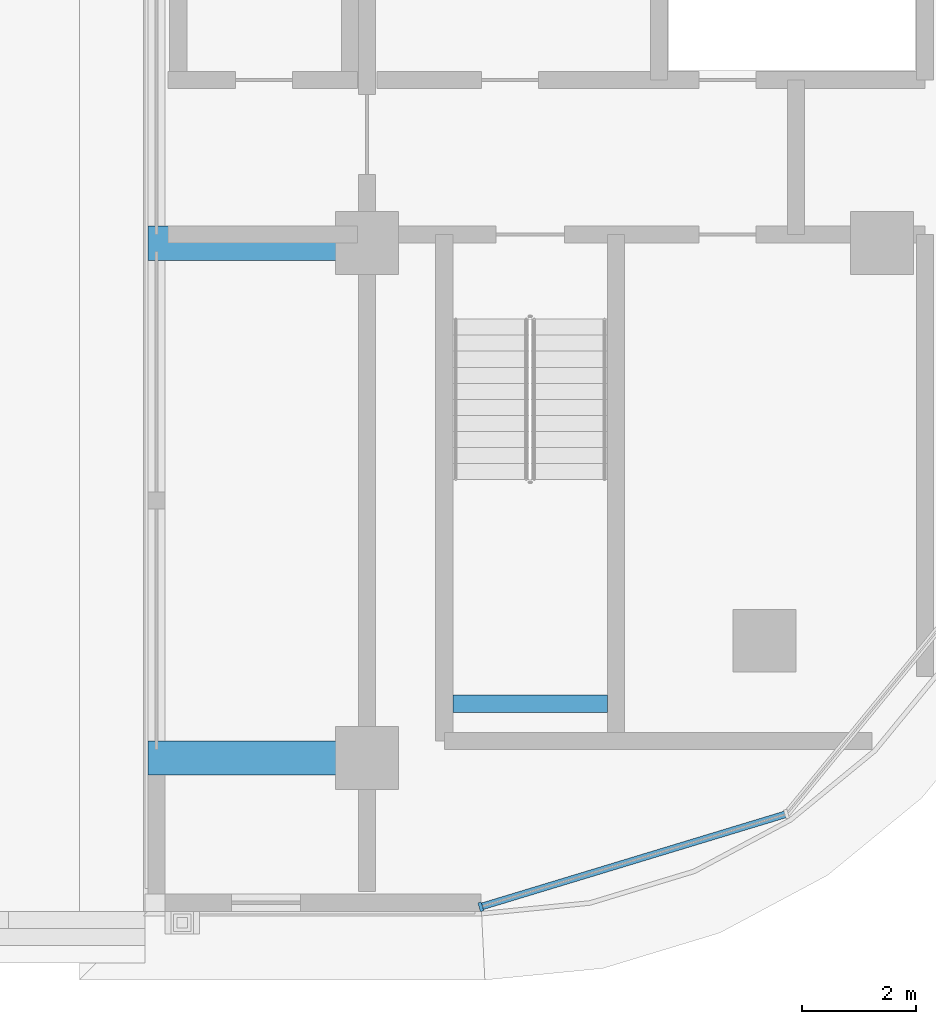
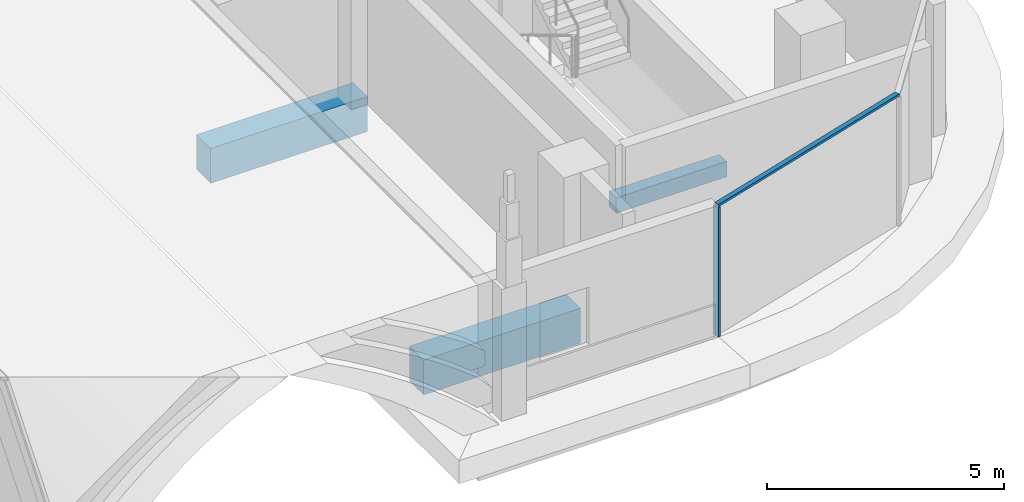
# One storey, part 3 of 23: 3 beams, 2 members, 1 element without a shape of its own.
"""IFC4 building model written with IfcOpenShell, lengths in metres."""

import ifcopenshell
import ifcopenshell.guid

model = None  # the IFC model being written
_history = None  # IfcOwnerHistory: only IFC2X3 demands one
_inside = {}  # id of a spatial element -> (the spatial element, [elements in it])
_under = {}  # id of a project, library or spatial element -> (it, [spatial elements below it])
_declared = {}  # id of a project -> (the project, [libraries it declares])
_typed = {}  # id of a type object -> (the type object, [elements of that type])
_made_of = {}  # id of a material, layer set ... -> (it, [elements and type objects made of it])


def new_model(schema):
    """Start an empty IFC model of exactly this schema.

    Asked for "IFC4X3", IfcOpenShell would pick the latest addendum, in which some entities
    have other attributes; the version numbers below select the first issue.
    IFC2X3 requires an IfcOwnerHistory on every rooted entity: one is made here for all.
    """
    global model, _history
    if schema == "IFC4X3":
        model = ifcopenshell.file(schema_version=(4, 3, 0, 0))
    else:
        model = ifcopenshell.file(schema=schema)
    _inside.clear()
    _under.clear()
    _declared.clear()
    _typed.clear()
    _made_of.clear()
    _history = None
    if model.schema == "IFC2X3":
        org = make("IfcOrganization", Name="unknown")
        user = make(
            "IfcPersonAndOrganization",
            ThePerson=make("IfcPerson", FamilyName="unknown"),
            TheOrganization=org,
        )
        app = make(
            "IfcApplication",
            ApplicationDeveloper=org,
            Version="unknown",
            ApplicationFullName="unknown",
            ApplicationIdentifier="unknown",
        )
        _history = make(
            "IfcOwnerHistory",
            OwningUser=user,
            OwningApplication=app,
            ChangeAction="ADDED",
            CreationDate=0,
        )
    return model


def make(cls, **values):
    """One entity of the class cls with the attributes given. An attribute that is None is left unset."""
    return model.create_entity(
        cls, **{name: value for name, value in values.items() if value is not None}
    )


def rooted(cls, **values):
    """An entity with a GlobalId (a new one), such as an element, a storey or a relation."""
    return make(cls, GlobalId=ifcopenshell.guid.new(), OwnerHistory=_history, **values)


def si_unit(unit_type, name, prefix=None):
    """IfcSIUnit, for example si_unit("LENGTHUNIT", "METRE", prefix="MILLI")."""
    return make("IfcSIUnit", UnitType=unit_type, Prefix=prefix, Name=name)


def assignment(units):
    """IfcUnitAssignment: the units of a project."""
    return None if units is None else make("IfcUnitAssignment", Units=units)


def point(xyz):
    """IfcCartesianPoint."""
    return None if xyz is None else make("IfcCartesianPoint", Coordinates=xyz)


def direction(xyz):
    """IfcDirection."""
    return None if xyz is None else make("IfcDirection", DirectionRatios=xyz)


def frame(location, z_axis=None, x_axis=None):
    """IfcAxis2Placement3D, a coordinate frame: its origin and axes. An axis left out is left unset."""
    return make(
        "IfcAxis2Placement3D",
        Location=point(location),
        Axis=direction(z_axis),
        RefDirection=direction(x_axis),
    )


def frame_2d(location, x_axis=None):
    """IfcAxis2Placement2D, a coordinate frame in the plane: its origin and x axis."""
    return make(
        "IfcAxis2Placement2D", Location=point(location), RefDirection=direction(x_axis)
    )


def origin():
    """The frame at (0, 0, 0) with its axes left unset."""
    return frame((0.0, 0.0, 0.0))


def origin_2d():
    """The frame at (0, 0) in the plane with its x axis left unset."""
    return frame_2d((0.0, 0.0))


def place(relative_to, where):
    """IfcLocalPlacement: puts the frame where relative to a parent placement (None: the world)."""
    return make(
        "IfcLocalPlacement", PlacementRelTo=relative_to, RelativePlacement=where
    )


def context(
    kind, dimensions, precision=None, world=None, true_north=None, identifier=None
):
    """IfcGeometricRepresentationContext, for example the 3D "Model" context."""
    return make(
        "IfcGeometricRepresentationContext",
        ContextIdentifier=identifier,
        ContextType=kind,
        CoordinateSpaceDimension=dimensions,
        Precision=precision,
        WorldCoordinateSystem=world,
        TrueNorth=true_north,
    )


def subcontext(parent, identifier, kind, view, scale=None):
    """IfcGeometricRepresentationSubContext, for example "Body" below "Model"."""
    return make(
        "IfcGeometricRepresentationSubContext",
        ContextIdentifier=identifier,
        ContextType=kind,
        ParentContext=parent,
        TargetScale=scale,
        TargetView=view,
    )


def project(units=None, contexts=None):
    """IfcProject with its units and contexts."""
    return rooted(
        "IfcProject",
        Name="project",
        RepresentationContexts=contexts,
        UnitsInContext=assignment(units),
    )


def spatial(cls, under=None, at=None, **own):
    """A site, building, storey or space (cls), placed at a placement, below another one or the project."""
    s = rooted(cls, ObjectPlacement=at, **own)
    if under is not None:
        _under.setdefault(under.id(), (under, []))[1].append(s)
    return s


def profile(cls, at=None, kind="AREA", **sizes):
    """A parametric profile (cls). Its sizes go by their IFC names, for example OverallWidth=200.0."""
    return make(cls, ProfileType=kind, Position=at, **sizes)


def rectangle(**sizes):
    """IfcRectangleProfileDef."""
    return profile("IfcRectangleProfileDef", **sizes)


def extrude(swept, where, along, depth):
    """IfcExtrudedAreaSolid: the profile swept, set in the frame where, extruded along a direction by depth."""
    return make(
        "IfcExtrudedAreaSolid",
        SweptArea=swept,
        Position=where,
        ExtrudedDirection=direction(along),
        Depth=depth,
    )


def shape(context_of_items, identifier, shape_type, items):
    """IfcShapeRepresentation: the items that make up one representation, for example the "Body"."""
    return make(
        "IfcShapeRepresentation",
        ContextOfItems=context_of_items,
        RepresentationIdentifier=identifier,
        RepresentationType=shape_type,
        Items=items,
    )


def material(Name=None, Category=None):
    """IfcMaterial."""
    return make("IfcMaterial", Name=Name, Category=Category)


def material_profile(
    of_material, cross_section, Name=None, Category=None, Priority=None
):
    """IfcMaterialProfile: a cross section and its material."""
    return make(
        "IfcMaterialProfile",
        Name=Name,
        Material=of_material,
        Profile=cross_section,
        Priority=Priority,
        Category=Category,
    )


def profile_set(profiles, Name=None, composite=None):
    """IfcMaterialProfileSet."""
    return make(
        "IfcMaterialProfileSet",
        Name=Name,
        MaterialProfiles=profiles,
        CompositeProfile=composite,
    )


def made_of(thing, what):
    """Note that an element or type object is made of a material, layer set ...; save() writes the relation."""
    if what is not None:
        _made_of.setdefault(what.id(), (what, []))[1].append(thing)
    return thing


def type_object(cls, material=None, **own):
    """A type object (cls), such as IfcWallType, which elements share."""
    return made_of(rooted(cls, **own), material)


def element(
    cls,
    number,
    at=None,
    inside=None,
    cuts=None,
    type_object=None,
    material=None,
    context=None,
    identifier="Body",
    shape_type=None,
    held_by="IfcProductDefinitionShape",
    body=None,
    shapes=None,
    **own,
):
    """One element of the class cls, such as IfcWall. Its Tag is "e" and its number.

    at: its placement. inside: the storey or other place that contains it. cuts: it is an
    opening in that element (IfcRelVoidsElement). A single representation is given by context,
    identifier, shape_type and body (its items); several are given by shapes. held_by: the class
    of the entity that holds the representations. save() writes the other relations.
    """
    e = rooted(cls, Tag="e%d" % number, ObjectPlacement=at, **own)
    if body is not None:
        shapes = [shape(context, identifier, shape_type, body)]
    if shapes is not None:
        e.Representation = make(held_by, Representations=shapes)
    if inside is not None:
        _inside.setdefault(inside.id(), (inside, []))[1].append(e)
    if cuts is not None:
        rooted(
            "IfcRelVoidsElement", RelatingBuildingElement=cuts, RelatedOpeningElement=e
        )
    if type_object is not None:
        _typed.setdefault(type_object.id(), (type_object, []))[1].append(e)
    return made_of(e, material)


def aggregate(whole, parts):
    """IfcRelAggregates: a whole, such as a stair, and the parts it consists of."""
    return rooted("IfcRelAggregates", RelatingObject=whole, RelatedObjects=parts)


def save(model, path):
    """Write the relations noted so far, then the file.

    IfcRelAggregates (storeys below a building ...), IfcRelContainedInSpatialStructure (elements
    in a storey), IfcRelDefinesByType, IfcRelAssociatesMaterial and IfcRelDeclares: one each for
    every whole, place, type object, material and project.
    """
    for whole, parts in _under.values():
        aggregate(whole, parts)
    for where, things in _inside.values():
        rooted(
            "IfcRelContainedInSpatialStructure",
            RelatedElements=things,
            RelatingStructure=where,
        )
    for kind, things in _typed.values():
        rooted("IfcRelDefinesByType", RelatedObjects=things, RelatingType=kind)
    for what, things in _made_of.values():
        rooted("IfcRelAssociatesMaterial", RelatedObjects=things, RelatingMaterial=what)
    for by, libraries in _declared.values():
        rooted("IfcRelDeclares", RelatingContext=by, RelatedDefinitions=libraries)
    model.write(path)


model = new_model("IFC4")

# Units and contexts
model_context = context("Model", 3, precision=1e-05, world=origin(), true_north=direction((0.0, 1.0)))
body_context = subcontext(model_context, "Body", "Model", "MODEL_VIEW")
ifc_project = project(units=[si_unit("LENGTHUNIT", "METRE"), si_unit("AREAUNIT", "SQUARE_METRE"), si_unit("VOLUMEUNIT", "CUBIC_METRE"), si_unit("PLANEANGLEUNIT", "RADIAN"), si_unit("MASSUNIT", "GRAM", prefix="KILO")], contexts=[model_context])

# Site, building, storey
site_placement = place(None, origin())
site = spatial("IfcSite", under=ifc_project, at=site_placement, CompositionType="ELEMENT")
building_placement = place(site_placement, origin())
building = spatial("IfcBuilding", under=site, at=building_placement, Name="Ogive Portal Towers", CompositionType="ELEMENT")
storey_placement = place(building_placement, frame((0.0, 0.0, 179.199951171875)))
storey = spatial("IfcBuildingStorey", under=building, at=storey_placement, Name="L44", CompositionType="ELEMENT", Elevation=179.199951171875)

# Beams
ifc_material_1 = material(Name="Concrete C40/50", Category="concrete")
ifc_material_profile_1 = material_profile(ifc_material_1, rectangle(XDim=0.300048828125, YDim=0.39990234375, at=origin_2d()), Name="RC 300x400")
ifc_profile_set_1 = profile_set([ifc_material_profile_1], Name="Concrete C40/50")
beam_type_1 = type_object("IfcBeamType", Name="BEAM RC 300x400", PredefinedType="BEAM", material=ifc_profile_set_1)
beam_placement = place(storey_placement, frame((87.0, 22.449951171875, 1.449951171875), z_axis=(1.0, 0.0, 0.0), x_axis=(0.0, 1.0, 0.0)))
element("IfcBeam", 1, at=beam_placement, inside=storey, type_object=beam_type_1, Name="Landing beam L44", PredefinedType="BEAM", context=body_context, shape_type="SweptSolid", body=[
    extrude(rectangle(XDim=0.300048828125, YDim=0.39990234375, at=origin_2d()), origin(), (0.0, 0.0, 1.0), 2.699951171875),
])
ifc_material_2 = material(Name="Concrete C50/60", Category="concrete")
ifc_material_profile_2 = material_profile(ifc_material_2, rectangle(XDim=0.60009765625, YDim=0.89990234375, at=origin_2d()), Name="RC 600x900")
ifc_profile_set_2 = profile_set([ifc_material_profile_2], Name="Concrete C50/60")
beam_type_2 = type_object("IfcBeamType", Name="BEAM RC 600x900", PredefinedType="BEAM", material=ifc_profile_set_2)
for number, where, z_axis, x_axis, name in (
    (2, (85.5, 21.5, -0.449951171875), (-1.0, 0.0, 0.0), (0.0, -1.0, 0.0), "Portal edge beam E 21.5"),
    (3, (85.5, 30.5, -0.449951171875), (-1.0, 0.0, 0.0), (0.0, -1.0, 0.0), "Portal edge beam E 30.5"),
):
    element("IfcBeam", number, at=place(storey_placement, frame(where, z_axis=z_axis, x_axis=x_axis)), inside=storey, type_object=beam_type_2, Name=name, PredefinedType="BEAM", context=body_context, shape_type="SweptSolid", body=[
        extrude(rectangle(XDim=0.60009765625, YDim=0.89990234375, at=origin_2d()), origin(), (0.0, 0.0, 1.0), 3.830078125),
    ])

# Curtain wall, members
ifc_material_3 = material(Name="Glass, clear low-iron insulated glazing", Category="glass")
curtain_wall_type = type_object("IfcCurtainWallType", Name="CW FRONT RIBBON 4500", PredefinedType="NOTDEFINED", material=ifc_material_3)
curtain_wall_placement = place(storey_placement, origin())
curtain_wall = element("IfcCurtainWall", 4, at=curtain_wall_placement, inside=storey, type_object=curtain_wall_type, Name="A:L44:f26:cwa", PredefinedType="NOTDEFINED")
ifc_material_4 = material(Name="Aluminium 6063 anodised", Category="aluminium")
ifc_material_profile_3 = material_profile(ifc_material_4, rectangle(XDim=0.159912109375, YDim=0.06005859375, at=origin_2d()), Name="AL 60x160")
ifc_profile_set_3 = profile_set([ifc_material_profile_3], Name="Aluminium 6063 anodised")
member_type_1 = type_object("IfcMemberType", Name="CW MULLION 60x160", PredefinedType="MULLION", material=ifc_profile_set_3)
member_1_placement = place(storey_placement, frame((87.488037109375, 18.89990234375, 0.0), z_axis=(0.0, 0.0, 1.0), x_axis=(-0.290284677254, 0.956940335732, 0.0)))
member_1 = element("IfcMember", 5, at=member_1_placement, type_object=member_type_1, Name="mullion", PredefinedType="MULLION", context=body_context, shape_type="SweptSolid", body=[
    extrude(rectangle(XDim=0.159912109375, YDim=0.06005859375, at=origin_2d()), origin(), (0.0, 0.0, 1.0), 3.340087890625),
])
ifc_material_profile_4 = material_profile(ifc_material_4, rectangle(XDim=0.1201171875, YDim=0.06005859375, at=origin_2d()), Name="AL 120x60")
ifc_profile_set_4 = profile_set([ifc_material_profile_4], Name="Aluminium 6063 anodised")
member_type_2 = type_object("IfcMemberType", Name="CW TRANSOM 60x120", PredefinedType="USERDEFINED", material=ifc_profile_set_4)
member_2_placement = place(storey_placement, frame((87.488037109375, 18.89990234375, 3.3701171875), z_axis=(0.956932427214, 0.290310746868, 0.0), x_axis=(-0.290310746868, 0.956932427214, 0.0)))
member_2 = element("IfcMember", 6, at=member_2_placement, type_object=member_type_2, Name="transom", ObjectType="TRANSOM", PredefinedType="USERDEFINED", context=body_context, shape_type="SweptSolid", body=[
    extrude(rectangle(XDim=0.1201171875, YDim=0.06005859375, at=origin_2d()), origin(), (0.0, 0.0, 1.0), 5.583984375),
])
aggregate(curtain_wall, [member_2, member_1])

save(model, "model.ifc")
